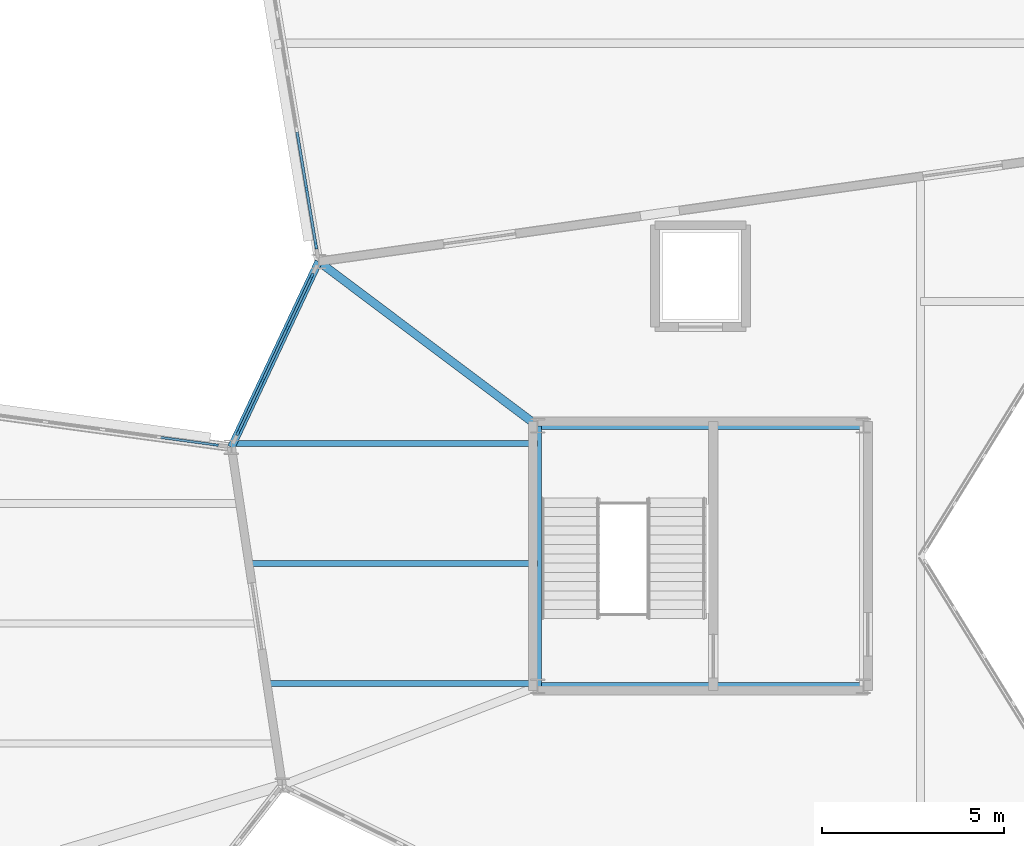
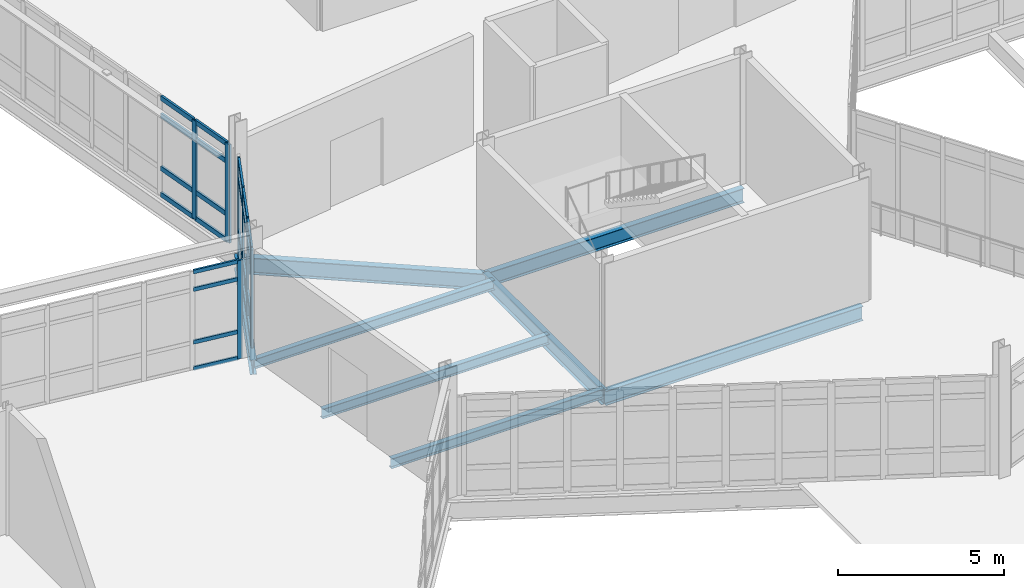
# One storey, part 35 of 134: 31 members, 8 beams, 3 elements without a shape of their own.
"""IFC4 building model written with IfcOpenShell, lengths in metres."""

from ifc_helpers import new_model, si_unit, direction, frame, origin, origin_2d, place, context, subcontext, project, spatial, rectangle, i_section, extrude, material, material_profile, profile_set, type_object, element, aggregate, save


model = new_model("IFC4")

# Units and contexts
model_context = context("Model", 3, precision=1e-05, world=origin(), true_north=direction((0.0, 1.0)))
body_context = subcontext(model_context, "Body", "Model", "MODEL_VIEW")
ifc_project = project(units=[si_unit("LENGTHUNIT", "METRE"), si_unit("AREAUNIT", "SQUARE_METRE"), si_unit("VOLUMEUNIT", "CUBIC_METRE"), si_unit("PLANEANGLEUNIT", "RADIAN"), si_unit("MASSUNIT", "GRAM", prefix="KILO")], contexts=[model_context])

# Site, building, storey
site_placement = place(None, origin())
site = spatial("IfcSite", under=ifc_project, at=site_placement, CompositionType="ELEMENT")
building_placement = place(site_placement, origin())
building = spatial("IfcBuilding", under=site, at=building_placement, Name="Tameran Prism Museum", CompositionType="ELEMENT")
storey_placement = place(building_placement, frame((0.0, 0.0, 5.39990234375)))
storey = spatial("IfcBuildingStorey", under=building, at=storey_placement, Name="L01", CompositionType="ELEMENT", Elevation=5.39990234375)

# Beams
ifc_material_1 = material(Name="Steel Grade 300PLUS (300 MPa)", Category="steel")
ifc_material_profile_1 = material_profile(ifc_material_1, i_section(OverallWidth=0.172119140625, OverallDepth=0.35888671875, WebThickness=0.008056640625, FlangeThickness=0.012939453125, FilletRadius=0.011474609375, at=origin_2d()))
ifc_profile_set_1 = profile_set([ifc_material_profile_1])
beam_type_1 = type_object("IfcBeamType", Name="BM-J360A", PredefinedType="JOIST", material=ifc_profile_set_1)
beam_1_placement = place(storey_placement, frame((50.618896484375, 33.0, -0.37939453125), z_axis=(1.0, 0.0, 0.0), x_axis=(0.0, 1.0, 0.0)))
element("IfcBeam", 1, at=beam_1_placement, inside=storey, type_object=beam_type_1, Name="Floor Beam BM-0540", PredefinedType="JOIST", context=body_context, shape_type="SweptSolid", body=[
    extrude(i_section(OverallWidth=0.172119140625, OverallDepth=0.35888671875, WebThickness=0.008056640625, FlangeThickness=0.012939453125, FilletRadius=0.011474609375, at=origin_2d()), origin(), (0.0, 0.0, 1.0), 7.401123046875),
])
beam_2_placement = place(storey_placement, frame((49.69091796875, 39.60009765625, -0.37939453125), z_axis=(1.0, 0.0, 0.0), x_axis=(0.0, 1.0, 0.0)))
element("IfcBeam", 2, at=beam_2_placement, inside=storey, type_object=beam_type_1, Name="Floor Beam BM-0542", PredefinedType="JOIST", context=body_context, shape_type="SweptSolid", body=[
    extrude(i_section(OverallWidth=0.172119140625, OverallDepth=0.35888671875, WebThickness=0.008056640625, FlangeThickness=0.012939453125, FilletRadius=0.011474609375, at=origin_2d()), origin(), (0.0, 0.0, 1.0), 8.3291015625),
])
ifc_material_2 = material(Name="Steel Grade 300PLUS (300 MPa)", Category="steel")
ifc_material_profile_2 = material_profile(ifc_material_2, i_section(OverallWidth=0.1708984375, OverallDepth=0.35595703125, WebThickness=0.00732421875, FlangeThickness=0.011474609375, FilletRadius=0.011474609375, at=origin_2d()))
ifc_profile_set_2 = profile_set([ifc_material_profile_2])
beam_type_2 = type_object("IfcBeamType", Name="BM-J360B", PredefinedType="JOIST", material=ifc_profile_set_2)
beam_3_placement = place(storey_placement, frame((50.1220703125, 36.300048828125, -0.3779296875), z_axis=(1.0, 0.0, 0.0), x_axis=(0.0, 1.0, 0.0)))
element("IfcBeam", 3, at=beam_3_placement, inside=storey, type_object=beam_type_2, Name="Floor Beam BM-0541", PredefinedType="JOIST", context=body_context, shape_type="SweptSolid", body=[
    extrude(i_section(OverallWidth=0.1708984375, OverallDepth=0.35595703125, WebThickness=0.00732421875, FlangeThickness=0.011474609375, FilletRadius=0.011474609375, at=origin_2d()), origin(), (0.0, 0.0, 1.0), 7.89794921875),
])
ifc_material_3 = material(Name="Steel Grade 300PLUS (300 MPa)", Category="steel")
ifc_material_profile_3 = material_profile(ifc_material_3, i_section(OverallWidth=0.208984375, OverallDepth=0.528076171875, WebThickness=0.009521484375, FlangeThickness=0.01318359375, FilletRadius=0.013916015625, at=origin_2d()))
ifc_profile_set_3 = profile_set([ifc_material_profile_3])
beam_type_3 = type_object("IfcBeamType", Name="BM-SP530B", PredefinedType="SPANDREL", material=ifc_profile_set_3)
beam_4_placement = place(storey_placement, frame((52.0, 44.60009765625, -0.4638671875), z_axis=(-0.425776176805, -0.904828518154, 0.0), x_axis=(0.904828518154, -0.425776176805, 0.0)))
element("IfcBeam", 4, at=beam_4_placement, inside=storey, type_object=beam_type_3, Name="Perimeter Spandrel SP-0350", PredefinedType="SPANDREL", context=body_context, shape_type="SweptSolid", body=[
    extrude(i_section(OverallWidth=0.208984375, OverallDepth=0.528076171875, WebThickness=0.009521484375, FlangeThickness=0.01318359375, FilletRadius=0.013916015625, at=origin_2d()), origin(), (0.0, 0.0, 1.0), 5.636474609375),
])
for number, where, z_axis, x_axis, name in (
    (5, (58.02001953125, 32.919921875, -0.50390625), (1.0, 0.0, 0.0), (0.0, 1.0, 0.0), "Core Ring Beam CTB-0450"),
    (6, (66.97998046875, 40.080078125, -0.50390625), (-1.0, 0.0, 0.0), (0.0, -1.0, 0.0), "Core Ring Beam CTB-0452"),
):
    element("IfcBeam", number, at=place(storey_placement, frame(where, z_axis=z_axis, x_axis=x_axis)), inside=storey, type_object=beam_type_3, Name=name, PredefinedType="SPANDREL", context=body_context, shape_type="SweptSolid", body=[
        extrude(i_section(OverallWidth=0.208984375, OverallDepth=0.528076171875, WebThickness=0.009521484375, FlangeThickness=0.01318359375, FilletRadius=0.013916015625, at=origin_2d()), origin(), (0.0, 0.0, 1.0), 8.9599609375),
    ])
beam_5_placement = place(storey_placement, frame((58.02001953125, 40.080078125, -0.50390625), z_axis=(0.0, -1.0, 0.0), x_axis=(1.0, 0.0, 0.0)))
element("IfcBeam", 7, at=beam_5_placement, inside=storey, type_object=beam_type_3, Name="Core Ring Beam CTB-0453", PredefinedType="SPANDREL", context=body_context, shape_type="SweptSolid", body=[
    extrude(i_section(OverallWidth=0.208984375, OverallDepth=0.528076171875, WebThickness=0.009521484375, FlangeThickness=0.01318359375, FilletRadius=0.013916015625, at=origin_2d()), origin(), (0.0, 0.0, 1.0), 7.16015625),
])
ifc_material_4 = material(Name="Steel Grade 300PLUS (300 MPa)", Category="steel")
ifc_material_profile_4 = material_profile(ifc_material_4, i_section(OverallWidth=0.22900390625, OverallDepth=0.612060546875, WebThickness=0.011962890625, FlangeThickness=0.01953125, FilletRadius=0.013916015625, at=origin_2d()))
ifc_profile_set_4 = profile_set([ifc_material_profile_4])
beam_type_4 = type_object("IfcBeamType", Name="BM-UB610A", PredefinedType="BEAM", material=ifc_profile_set_4)
beam_6_placement = place(storey_placement, frame((58.02001953125, 40.080078125, -0.559814453125), z_axis=(-0.799680766937, 0.600425408349, 0.0), x_axis=(-0.600425408349, -0.799680766937, 0.0)))
element("IfcBeam", 8, at=beam_6_placement, inside=storey, type_object=beam_type_4, Name="Frame Tie Girder FG-1415", PredefinedType="BEAM", context=body_context, shape_type="SweptSolid", body=[
    extrude(i_section(OverallWidth=0.22900390625, OverallDepth=0.612060546875, WebThickness=0.011962890625, FlangeThickness=0.01953125, FilletRadius=0.013916015625, at=origin_2d()), origin(), (0.0, 0.0, 1.0), 7.528076171875),
])

# Curtain wall, member
ifc_material_5 = material(Name="Anodised Aluminium 6063-T6 and Cyclone Solar Glass", Category="aluminium")
curtain_wall_type_1 = type_object("IfcCurtainWallType", Name="CW-FAC-2532x362", PredefinedType="USERDEFINED", material=ifc_material_5)
curtain_wall_1_placement = place(storey_placement, origin())
curtain_wall_1 = element("IfcCurtainWall", 9, at=curtain_wall_1_placement, inside=storey, type_object=curtain_wall_type_1, Name="Unitised Curtain Wall CW-091", ObjectType="UNITISED CURTAIN WALL", PredefinedType="USERDEFINED")
ifc_material_6 = material(Name="Anodised Aluminium Alloy 6063-T6", Category="aluminium")
ifc_material_profile_5 = material_profile(ifc_material_6, rectangle(XDim=0.06494140625, YDim=0.159912109375, at=origin_2d()))
ifc_profile_set_5 = profile_set([ifc_material_profile_5])
member_type_1 = type_object("IfcMemberType", Name="CW-MUL-A", PredefinedType="MULLION", material=ifc_profile_set_5)
member_1_placement = place(storey_placement, frame((49.161865234375, 39.559326171875, 0.0), z_axis=(0.0, 0.0, 1.0), x_axis=(0.133912653592, 0.99099313883, 0.0)))
member_1 = element("IfcMember", 10, at=member_1_placement, type_object=member_type_1, Name="CW-091 mullion 17", PredefinedType="MULLION", context=body_context, shape_type="SweptSolid", body=[
    extrude(rectangle(XDim=0.06494140625, YDim=0.159912109375, at=origin_2d()), origin(), (0.0, 0.0, 1.0), 3.6201171875),
])

# Curtain wall, members
ifc_material_7 = material(Name="Anodised Aluminium 6063-T6 and Cyclone Solar Glass", Category="aluminium")
curtain_wall_type_2 = type_object("IfcCurtainWallType", Name="CW-FAC-482x362", PredefinedType="USERDEFINED", material=ifc_material_7)
curtain_wall_2_placement = place(storey_placement, origin())
curtain_wall_2 = element("IfcCurtainWall", 11, at=curtain_wall_2_placement, inside=storey, type_object=curtain_wall_type_2, Name="Unitised Curtain Wall CW-064", ObjectType="UNITISED CURTAIN WALL", PredefinedType="USERDEFINED")
ifc_material_8 = material(Name="Anodised Aluminium Alloy 6063-T6", Category="aluminium")
ifc_material_profile_6 = material_profile(ifc_material_8, rectangle(XDim=0.070068359375, YDim=0.179931640625, at=origin_2d()))
ifc_profile_set_6 = profile_set([ifc_material_profile_6])
member_type_2 = type_object("IfcMemberType", Name="CW-MUL-B", PredefinedType="MULLION", material=ifc_profile_set_6)
member_2_placement = place(storey_placement, frame((49.789794921875, 39.902587890625, 0.0), z_axis=(0.0, 0.0, 1.0), x_axis=(-0.904884570714, 0.42565703763, 0.0)))
member_2 = element("IfcMember", 12, at=member_2_placement, type_object=member_type_2, Name="CW-064 mullion 1", PredefinedType="MULLION", context=body_context, shape_type="SweptSolid", body=[
    extrude(rectangle(XDim=0.070068359375, YDim=0.179931640625, at=origin_2d()), origin(), (0.0, 0.0, 1.0), 3.6201171875),
])
member_3_placement = place(storey_placement, frame((50.458251953125, 41.32373046875, 0.0), z_axis=(0.0, 0.0, 1.0), x_axis=(-0.904884570714, 0.42565703763, 0.0)))
member_3 = element("IfcMember", 13, at=member_3_placement, type_object=member_type_2, Name="CW-064 mullion 2", PredefinedType="MULLION", context=body_context, shape_type="SweptSolid", body=[
    extrude(rectangle(XDim=0.070068359375, YDim=0.179931640625, at=origin_2d()), origin(), (0.0, 0.0, 1.0), 3.6201171875),
])
member_4_placement = place(storey_placement, frame((51.1416015625, 42.7763671875, 0.0), z_axis=(0.0, 0.0, 1.0), x_axis=(-0.904884570714, 0.42565703763, 0.0)))
member_4 = element("IfcMember", 14, at=member_4_placement, type_object=member_type_2, Name="CW-064 mullion 3", PredefinedType="MULLION", context=body_context, shape_type="SweptSolid", body=[
    extrude(rectangle(XDim=0.070068359375, YDim=0.179931640625, at=origin_2d()), origin(), (0.0, 0.0, 1.0), 3.6201171875),
])
member_5_placement = place(storey_placement, frame((51.81005859375, 44.197265625, 0.0), z_axis=(0.0, 0.0, 1.0), x_axis=(-0.904884570714, 0.42565703763, 0.0)))
member_5 = element("IfcMember", 15, at=member_5_placement, type_object=member_type_2, Name="CW-064 mullion 4", PredefinedType="MULLION", context=body_context, shape_type="SweptSolid", body=[
    extrude(rectangle(XDim=0.070068359375, YDim=0.179931640625, at=origin_2d()), origin(), (0.0, 0.0, 1.0), 3.6201171875),
])

ifc_material_9 = material(Name="Anodised Aluminium 6063-T6 and Cyclone Solar Glass", Category="aluminium")
curtain_wall_type_3 = type_object("IfcCurtainWallType", Name="CW-FAC-1135x362", PredefinedType="USERDEFINED", material=ifc_material_9)
curtain_wall_3_placement = place(storey_placement, origin())
curtain_wall_3 = element("IfcCurtainWall", 16, at=curtain_wall_3_placement, inside=storey, type_object=curtain_wall_type_3, Name="Unitised Curtain Wall CW-069", ObjectType="UNITISED CURTAIN WALL", PredefinedType="USERDEFINED")
ifc_material_10 = material(Name="Anodised Aluminium Alloy 6063-T6", Category="aluminium")
ifc_material_profile_7 = material_profile(ifc_material_10, rectangle(XDim=0.074951171875, YDim=0.199951171875, at=origin_2d()))
ifc_profile_set_7 = profile_set([ifc_material_profile_7])
member_type_3 = type_object("IfcMemberType", Name="CW-MUL-C", PredefinedType="MULLION", material=ifc_profile_set_7)
member_6_placement = place(storey_placement, frame((51.92578125, 45.041015625, 0.0), z_axis=(0.0, 0.0, 1.0), x_axis=(-0.986412973539, -0.164284648199, 0.0)))
member_6 = element("IfcMember", 17, at=member_6_placement, type_object=member_type_3, Name="CW-069 mullion 1", PredefinedType="MULLION", context=body_context, shape_type="SweptSolid", body=[
    extrude(rectangle(XDim=0.074951171875, YDim=0.199951171875, at=origin_2d()), origin(), (0.0, 0.0, 1.0), 3.6201171875),
])
member_7_placement = place(storey_placement, frame((51.665771484375, 46.602783203125, 0.0), z_axis=(0.0, 0.0, 1.0), x_axis=(-0.986412973539, -0.164284648199, 0.0)))
member_7 = element("IfcMember", 18, at=member_7_placement, type_object=member_type_3, Name="CW-069 mullion 2", PredefinedType="MULLION", context=body_context, shape_type="SweptSolid", body=[
    extrude(rectangle(XDim=0.074951171875, YDim=0.199951171875, at=origin_2d()), origin(), (0.0, 0.0, 1.0), 3.6201171875),
])

# Member
ifc_material_11 = material(Name="Anodised Aluminium Alloy 6063-T6", Category="aluminium")
ifc_material_profile_8 = material_profile(ifc_material_11, rectangle(XDim=0.06494140625, YDim=0.139892578125, at=origin_2d()))
ifc_profile_set_8 = profile_set([ifc_material_profile_8])
member_type_4 = type_object("IfcMemberType", Name="CW-TRN-A", PredefinedType="USERDEFINED", material=ifc_profile_set_8)
member_8_placement = place(storey_placement, frame((47.658203125, 39.762451171875, 0.03271484375), z_axis=(0.991002453679, -0.133843702886, 0.0), x_axis=(0.133843702886, 0.991002453679, 0.0)))
member_8 = element("IfcMember", 19, at=member_8_placement, type_object=member_type_4, Name="CW-091 transom 16.1", ObjectType="TRANSOM", PredefinedType="USERDEFINED", context=body_context, shape_type="SweptSolid", body=[
    extrude(rectangle(XDim=0.06494140625, YDim=0.139892578125, at=origin_2d()), origin(), (0.0, 0.0, 1.0), 1.48486328125),
])

member_9_placement = place(storey_placement, frame((47.658203125, 39.762451171875, 1.0), z_axis=(0.991002453679, -0.133843702886, 0.0), x_axis=(0.133843702886, 0.991002453679, 0.0)))
member_9 = element("IfcMember", 20, at=member_9_placement, type_object=member_type_4, Name="CW-091 transom 16.2", ObjectType="TRANSOM", PredefinedType="USERDEFINED", context=body_context, shape_type="SweptSolid", body=[
    extrude(rectangle(XDim=0.06494140625, YDim=0.139892578125, at=origin_2d()), origin(), (0.0, 0.0, 1.0), 1.48486328125),
])

member_10_placement = place(storey_placement, frame((47.658203125, 39.762451171875, 2.940185546875), z_axis=(0.991002453679, -0.133843702886, 0.0), x_axis=(0.133843702886, 0.991002453679, 0.0)))
member_10 = element("IfcMember", 21, at=member_10_placement, type_object=member_type_4, Name="CW-091 transom 16.3", ObjectType="TRANSOM", PredefinedType="USERDEFINED", context=body_context, shape_type="SweptSolid", body=[
    extrude(rectangle(XDim=0.06494140625, YDim=0.139892578125, at=origin_2d()), origin(), (0.0, 0.0, 1.0), 1.48486328125),
])

member_11_placement = place(storey_placement, frame((47.658203125, 39.762451171875, 3.587646484375), z_axis=(0.991002453679, -0.133843702886, 0.0), x_axis=(0.133843702886, 0.991002453679, 0.0)))
member_11 = element("IfcMember", 22, at=member_11_placement, type_object=member_type_4, Name="CW-091 transom 16.4", ObjectType="TRANSOM", PredefinedType="USERDEFINED", context=body_context, shape_type="SweptSolid", body=[
    extrude(rectangle(XDim=0.06494140625, YDim=0.139892578125, at=origin_2d()), origin(), (0.0, 0.0, 1.0), 1.48486328125),
])

aggregate(curtain_wall_1, [member_1, member_8, member_9, member_10, member_11])

ifc_material_12 = material(Name="Anodised Aluminium Alloy 6063-T6", Category="aluminium")
ifc_material_profile_9 = material_profile(ifc_material_12, rectangle(XDim=0.070068359375, YDim=0.155029296875, at=origin_2d()))
ifc_profile_set_9 = profile_set([ifc_material_profile_9])
member_type_5 = type_object("IfcMemberType", Name="CW-TRN-B", PredefinedType="USERDEFINED", material=ifc_profile_set_9)
member_12_placement = place(storey_placement, frame((49.8046875, 39.934326171875, 0.03515625), z_axis=(0.425671651398, 0.904877696264, 0.0), x_axis=(-0.904877696264, 0.425671651398, 0.0)))
member_12 = element("IfcMember", 23, at=member_12_placement, type_object=member_type_5, Name="CW-064 transom 1.1", ObjectType="TRANSOM", PredefinedType="USERDEFINED", context=body_context, shape_type="SweptSolid", body=[
    extrude(rectangle(XDim=0.070068359375, YDim=0.155029296875, at=origin_2d()), origin(), (0.0, 0.0, 1.0), 1.50048828125),
])

member_13_placement = place(storey_placement, frame((49.8046875, 39.934326171875, 1.0), z_axis=(0.425671651398, 0.904877696264, 0.0), x_axis=(-0.904877696264, 0.425671651398, 0.0)))
member_13 = element("IfcMember", 24, at=member_13_placement, type_object=member_type_5, Name="CW-064 transom 1.2", ObjectType="TRANSOM", PredefinedType="USERDEFINED", context=body_context, shape_type="SweptSolid", body=[
    extrude(rectangle(XDim=0.070068359375, YDim=0.155029296875, at=origin_2d()), origin(), (0.0, 0.0, 1.0), 1.50048828125),
])

member_14_placement = place(storey_placement, frame((49.8046875, 39.934326171875, 2.940185546875), z_axis=(0.425671651398, 0.904877696264, 0.0), x_axis=(-0.904877696264, 0.425671651398, 0.0)))
member_14 = element("IfcMember", 25, at=member_14_placement, type_object=member_type_5, Name="CW-064 transom 1.3", ObjectType="TRANSOM", PredefinedType="USERDEFINED", context=body_context, shape_type="SweptSolid", body=[
    extrude(rectangle(XDim=0.070068359375, YDim=0.155029296875, at=origin_2d()), origin(), (0.0, 0.0, 1.0), 1.50048828125),
])

member_15_placement = place(storey_placement, frame((49.8046875, 39.934326171875, 3.585205078125), z_axis=(0.425671651398, 0.904877696264, 0.0), x_axis=(-0.904877696264, 0.425671651398, 0.0)))
member_15 = element("IfcMember", 26, at=member_15_placement, type_object=member_type_5, Name="CW-064 transom 1.4", ObjectType="TRANSOM", PredefinedType="USERDEFINED", context=body_context, shape_type="SweptSolid", body=[
    extrude(rectangle(XDim=0.070068359375, YDim=0.155029296875, at=origin_2d()), origin(), (0.0, 0.0, 1.0), 1.50048828125),
])

member_16_placement = place(storey_placement, frame((50.47314453125, 41.355224609375, 0.03515625), z_axis=(0.425651540654, 0.904887156467, 0.0), x_axis=(-0.904887156467, 0.425651540654, 0.0)))
member_16 = element("IfcMember", 27, at=member_16_placement, type_object=member_type_5, Name="CW-064 transom 2.1", ObjectType="TRANSOM", PredefinedType="USERDEFINED", context=body_context, shape_type="SweptSolid", body=[
    extrude(rectangle(XDim=0.070068359375, YDim=0.155029296875, at=origin_2d()), origin(), (0.0, 0.0, 1.0), 1.535400390625),
])

member_17_placement = place(storey_placement, frame((50.47314453125, 41.355224609375, 1.0), z_axis=(0.425651540654, 0.904887156467, 0.0), x_axis=(-0.904887156467, 0.425651540654, 0.0)))
member_17 = element("IfcMember", 28, at=member_17_placement, type_object=member_type_5, Name="CW-064 transom 2.2", ObjectType="TRANSOM", PredefinedType="USERDEFINED", context=body_context, shape_type="SweptSolid", body=[
    extrude(rectangle(XDim=0.070068359375, YDim=0.155029296875, at=origin_2d()), origin(), (0.0, 0.0, 1.0), 1.535400390625),
])

member_18_placement = place(storey_placement, frame((50.47314453125, 41.355224609375, 2.940185546875), z_axis=(0.425651540654, 0.904887156467, 0.0), x_axis=(-0.904887156467, 0.425651540654, 0.0)))
member_18 = element("IfcMember", 29, at=member_18_placement, type_object=member_type_5, Name="CW-064 transom 2.3", ObjectType="TRANSOM", PredefinedType="USERDEFINED", context=body_context, shape_type="SweptSolid", body=[
    extrude(rectangle(XDim=0.070068359375, YDim=0.155029296875, at=origin_2d()), origin(), (0.0, 0.0, 1.0), 1.535400390625),
])

member_19_placement = place(storey_placement, frame((50.47314453125, 41.355224609375, 3.585205078125), z_axis=(0.425651540654, 0.904887156467, 0.0), x_axis=(-0.904887156467, 0.425651540654, 0.0)))
member_19 = element("IfcMember", 30, at=member_19_placement, type_object=member_type_5, Name="CW-064 transom 2.4", ObjectType="TRANSOM", PredefinedType="USERDEFINED", context=body_context, shape_type="SweptSolid", body=[
    extrude(rectangle(XDim=0.070068359375, YDim=0.155029296875, at=origin_2d()), origin(), (0.0, 0.0, 1.0), 1.535400390625),
])

member_20_placement = place(storey_placement, frame((51.156494140625, 42.80810546875, 0.03515625), z_axis=(0.425671651398, 0.904877696264, 0.0), x_axis=(-0.904877696264, 0.425671651398, 0.0)))
member_20 = element("IfcMember", 31, at=member_20_placement, type_object=member_type_5, Name="CW-064 transom 3.1", ObjectType="TRANSOM", PredefinedType="USERDEFINED", context=body_context, shape_type="SweptSolid", body=[
    extrude(rectangle(XDim=0.070068359375, YDim=0.155029296875, at=origin_2d()), origin(), (0.0, 0.0, 1.0), 1.50048828125),
])

member_21_placement = place(storey_placement, frame((51.156494140625, 42.80810546875, 1.0), z_axis=(0.425671651398, 0.904877696264, 0.0), x_axis=(-0.904877696264, 0.425671651398, 0.0)))
member_21 = element("IfcMember", 32, at=member_21_placement, type_object=member_type_5, Name="CW-064 transom 3.2", ObjectType="TRANSOM", PredefinedType="USERDEFINED", context=body_context, shape_type="SweptSolid", body=[
    extrude(rectangle(XDim=0.070068359375, YDim=0.155029296875, at=origin_2d()), origin(), (0.0, 0.0, 1.0), 1.50048828125),
])

member_22_placement = place(storey_placement, frame((51.156494140625, 42.80810546875, 2.940185546875), z_axis=(0.425671651398, 0.904877696264, 0.0), x_axis=(-0.904877696264, 0.425671651398, 0.0)))
member_22 = element("IfcMember", 33, at=member_22_placement, type_object=member_type_5, Name="CW-064 transom 3.3", ObjectType="TRANSOM", PredefinedType="USERDEFINED", context=body_context, shape_type="SweptSolid", body=[
    extrude(rectangle(XDim=0.070068359375, YDim=0.155029296875, at=origin_2d()), origin(), (0.0, 0.0, 1.0), 1.50048828125),
])

member_23_placement = place(storey_placement, frame((51.156494140625, 42.80810546875, 3.585205078125), z_axis=(0.425671651398, 0.904877696264, 0.0), x_axis=(-0.904877696264, 0.425671651398, 0.0)))
member_23 = element("IfcMember", 34, at=member_23_placement, type_object=member_type_5, Name="CW-064 transom 3.4", ObjectType="TRANSOM", PredefinedType="USERDEFINED", context=body_context, shape_type="SweptSolid", body=[
    extrude(rectangle(XDim=0.070068359375, YDim=0.155029296875, at=origin_2d()), origin(), (0.0, 0.0, 1.0), 1.50048828125),
])

aggregate(curtain_wall_2, [member_2, member_3, member_4, member_5, member_12, member_13, member_14, member_15, member_16, member_17, member_18, member_19, member_20, member_21, member_22, member_23])

ifc_material_13 = material(Name="Anodised Aluminium Alloy 6063-T6", Category="aluminium")
ifc_material_profile_10 = material_profile(ifc_material_13, rectangle(XDim=0.074951171875, YDim=0.175048828125, at=origin_2d()))
ifc_profile_set_10 = profile_set([ifc_material_profile_10])
member_type_6 = type_object("IfcMemberType", Name="CW-TRN-C", PredefinedType="USERDEFINED", material=ifc_profile_set_10)
member_24_placement = place(storey_placement, frame((51.919677734375, 45.077880859375, 0.03759765625), z_axis=(-0.164267764098, 0.986415785396, 0.0), x_axis=(-0.986415785396, -0.164267764098, 0.0)))
member_24 = element("IfcMember", 35, at=member_24_placement, type_object=member_type_6, Name="CW-069 transom 1.1", ObjectType="TRANSOM", PredefinedType="USERDEFINED", context=body_context, shape_type="SweptSolid", body=[
    extrude(rectangle(XDim=0.074951171875, YDim=0.175048828125, at=origin_2d()), origin(), (0.0, 0.0, 1.0), 1.508544921875),
])

member_25_placement = place(storey_placement, frame((51.919677734375, 45.077880859375, 1.0), z_axis=(-0.164267764098, 0.986415785396, 0.0), x_axis=(-0.986415785396, -0.164267764098, 0.0)))
member_25 = element("IfcMember", 36, at=member_25_placement, type_object=member_type_6, Name="CW-069 transom 1.2", ObjectType="TRANSOM", PredefinedType="USERDEFINED", context=body_context, shape_type="SweptSolid", body=[
    extrude(rectangle(XDim=0.074951171875, YDim=0.175048828125, at=origin_2d()), origin(), (0.0, 0.0, 1.0), 1.508544921875),
])

member_26_placement = place(storey_placement, frame((51.919677734375, 45.077880859375, 2.940185546875), z_axis=(-0.164267764098, 0.986415785396, 0.0), x_axis=(-0.986415785396, -0.164267764098, 0.0)))
member_26 = element("IfcMember", 37, at=member_26_placement, type_object=member_type_6, Name="CW-069 transom 1.3", ObjectType="TRANSOM", PredefinedType="USERDEFINED", context=body_context, shape_type="SweptSolid", body=[
    extrude(rectangle(XDim=0.074951171875, YDim=0.175048828125, at=origin_2d()), origin(), (0.0, 0.0, 1.0), 1.508544921875),
])

member_27_placement = place(storey_placement, frame((51.919677734375, 45.077880859375, 3.58251953125), z_axis=(-0.164267764098, 0.986415785396, 0.0), x_axis=(-0.986415785396, -0.164267764098, 0.0)))
member_27 = element("IfcMember", 38, at=member_27_placement, type_object=member_type_6, Name="CW-069 transom 1.4", ObjectType="TRANSOM", PredefinedType="USERDEFINED", context=body_context, shape_type="SweptSolid", body=[
    extrude(rectangle(XDim=0.074951171875, YDim=0.175048828125, at=origin_2d()), origin(), (0.0, 0.0, 1.0), 1.508544921875),
])

member_28_placement = place(storey_placement, frame((51.65966796875, 46.639892578125, 0.03759765625), z_axis=(-0.164398987305, 0.986393923832, 0.0), x_axis=(-0.986393923832, -0.164398987305, 0.0)))
member_28 = element("IfcMember", 39, at=member_28_placement, type_object=member_type_6, Name="CW-069 transom 2.1", ObjectType="TRANSOM", PredefinedType="USERDEFINED", context=body_context, shape_type="SweptSolid", body=[
    extrude(rectangle(XDim=0.074951171875, YDim=0.175048828125, at=origin_2d()), origin(), (0.0, 0.0, 1.0), 1.5458984375),
])

member_29_placement = place(storey_placement, frame((51.65966796875, 46.639892578125, 1.0), z_axis=(-0.164398987305, 0.986393923832, 0.0), x_axis=(-0.986393923832, -0.164398987305, 0.0)))
member_29 = element("IfcMember", 40, at=member_29_placement, type_object=member_type_6, Name="CW-069 transom 2.2", ObjectType="TRANSOM", PredefinedType="USERDEFINED", context=body_context, shape_type="SweptSolid", body=[
    extrude(rectangle(XDim=0.074951171875, YDim=0.175048828125, at=origin_2d()), origin(), (0.0, 0.0, 1.0), 1.5458984375),
])

member_30_placement = place(storey_placement, frame((51.65966796875, 46.639892578125, 2.940185546875), z_axis=(-0.164398987305, 0.986393923832, 0.0), x_axis=(-0.986393923832, -0.164398987305, 0.0)))
member_30 = element("IfcMember", 41, at=member_30_placement, type_object=member_type_6, Name="CW-069 transom 2.3", ObjectType="TRANSOM", PredefinedType="USERDEFINED", context=body_context, shape_type="SweptSolid", body=[
    extrude(rectangle(XDim=0.074951171875, YDim=0.175048828125, at=origin_2d()), origin(), (0.0, 0.0, 1.0), 1.5458984375),
])

member_31_placement = place(storey_placement, frame((51.65966796875, 46.639892578125, 3.58251953125), z_axis=(-0.164398987305, 0.986393923832, 0.0), x_axis=(-0.986393923832, -0.164398987305, 0.0)))
member_31 = element("IfcMember", 42, at=member_31_placement, type_object=member_type_6, Name="CW-069 transom 2.4", ObjectType="TRANSOM", PredefinedType="USERDEFINED", context=body_context, shape_type="SweptSolid", body=[
    extrude(rectangle(XDim=0.074951171875, YDim=0.175048828125, at=origin_2d()), origin(), (0.0, 0.0, 1.0), 1.5458984375),
])

aggregate(curtain_wall_3, [member_6, member_7, member_24, member_25, member_26, member_27, member_28, member_29, member_30, member_31])

save(model, "model.ifc")
